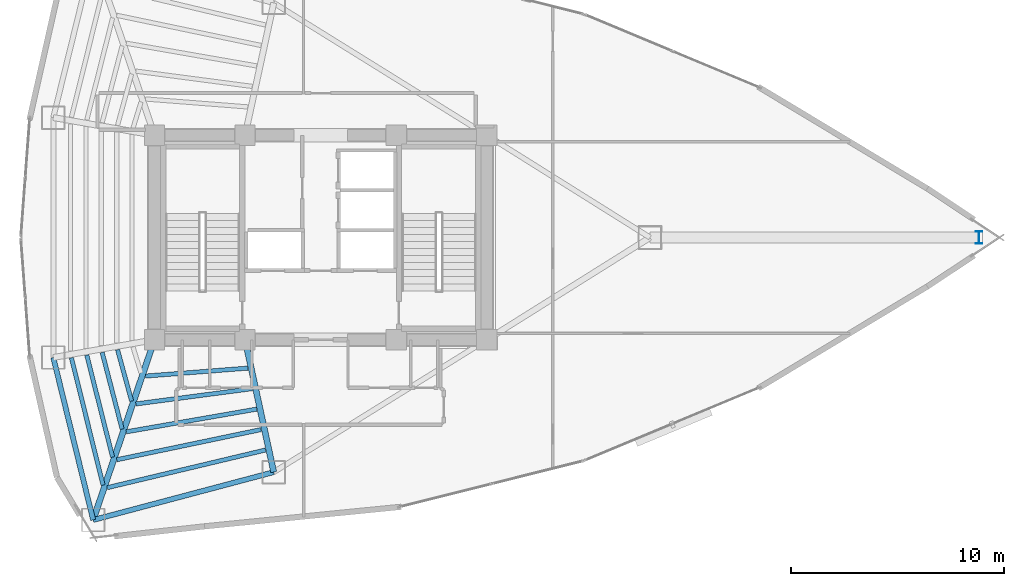
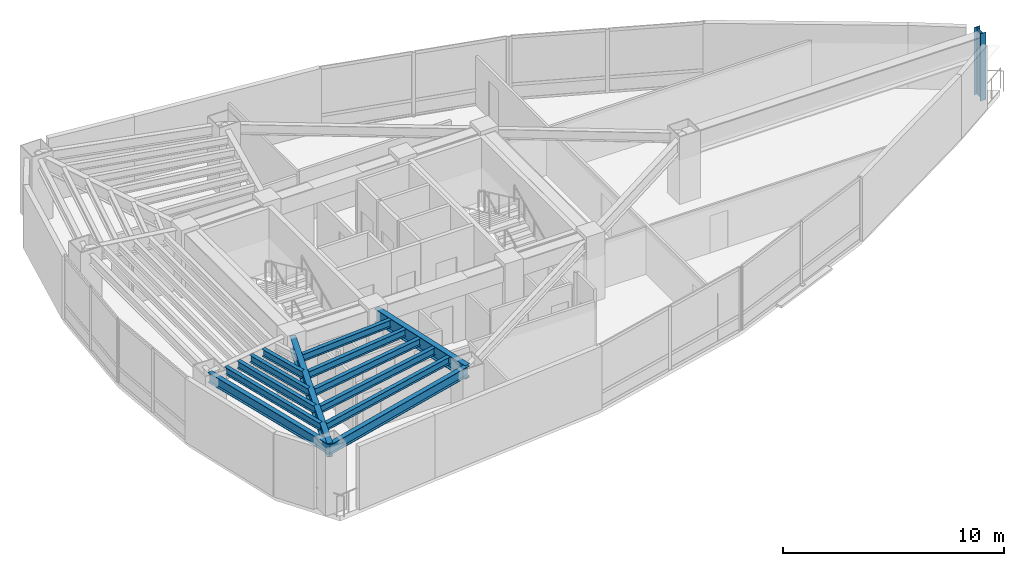
# One storey, part 2 of 17: 13 beams, 1 column.
"""IFC4 building model written with IfcOpenShell, lengths in metres."""

from ifc_helpers import new_model, si_unit, direction, frame, origin, origin_2d, place, context, subcontext, project, spatial, i_section, extrude, material, material_profile, profile_set, type_object, element, save


model = new_model("IFC4")

# Units and contexts
model_context = context("Model", 3, precision=1e-05, world=origin(), true_north=direction((0.0, 1.0)))
body_context = subcontext(model_context, "Body", "Model", "MODEL_VIEW")
ifc_project = project(units=[si_unit("LENGTHUNIT", "METRE"), si_unit("AREAUNIT", "SQUARE_METRE"), si_unit("VOLUMEUNIT", "CUBIC_METRE"), si_unit("PLANEANGLEUNIT", "RADIAN"), si_unit("MASSUNIT", "GRAM", prefix="KILO")], contexts=[model_context])

# Site, building, storey
site_placement = place(None, origin())
site = spatial("IfcSite", under=ifc_project, at=site_placement, CompositionType="ELEMENT")
building_placement = place(site_placement, origin())
building = spatial("IfcBuilding", under=site, at=building_placement, Name="Menara Vayukalpa", CompositionType="ELEMENT")
storey_placement = place(building_placement, frame((0.0, 0.0, 154.320068359375)))
storey = spatial("IfcBuildingStorey", under=building, at=storey_placement, Name="L38", CompositionType="ELEMENT", Elevation=154.320068359375)

# Column
ifc_material_1 = material(Name="Steel S460", Category="steel")
ifc_material_profile_1 = material_profile(ifc_material_1, i_section(OverallWidth=0.300048828125, OverallDepth=0.587890625, WebThickness=0.011962890625, FlangeThickness=0.02001953125, at=origin_2d()), Name="H 588x300x12x20")
ifc_profile_set_1 = profile_set([ifc_material_profile_1], Name="Steel S460")
column_type = type_object("IfcColumnType", Name="COL-SC1", PredefinedType="COLUMN", material=ifc_profile_set_1)
column_placement = place(storey_placement, frame((56.501953125, 22.0, 0.0), z_axis=(0.0, 0.0, 1.0), x_axis=(1.0, 0.0, 0.0)))
element("IfcColumn", 1, at=column_placement, inside=storey, type_object=column_type, Name="L38 SB3 Sky Bar Vierendeel Column SB01", PredefinedType="COLUMN", context=body_context, shape_type="SweptSolid", body=[
    extrude(i_section(OverallWidth=0.300048828125, OverallDepth=0.587890625, WebThickness=0.011962890625, FlangeThickness=0.02001953125, at=origin_2d()), origin(), (0.0, 0.0, 1.0), 3.719970703125),
])

# Beams
ifc_material_2 = material(Name="Steel S355", Category="steel")
ifc_material_profile_2 = material_profile(ifc_material_2, i_section(OverallWidth=0.280029296875, OverallDepth=0.75, WebThickness=0.013916015625, FlangeThickness=0.02490234375, at=origin_2d()), Name="WF 750x280x14x25")
ifc_profile_set_2 = profile_set([ifc_material_profile_2], Name="Steel S355")
beam_type_1 = type_object("IfcBeamType", Name="BM-PG4", PredefinedType="BEAM", material=ifc_profile_set_2)
beam_1_placement = place(storey_placement, frame((17.719482421875, 16.96337890625, 3.125), z_axis=(-0.322207533072, -0.946669058136, 0.0), x_axis=(0.946669058136, -0.322207533072, 0.0)))
element("IfcBeam", 2, at=beam_1_placement, inside=storey, type_object=beam_type_1, Name="L38 Primary Radial Girder RG07", PredefinedType="BEAM", context=body_context, shape_type="SweptSolid", body=[
    extrude(i_section(OverallWidth=0.280029296875, OverallDepth=0.75, WebThickness=0.013916015625, FlangeThickness=0.02490234375, at=origin_2d()), origin(), (0.0, 0.0, 1.0), 8.687255859375),
])
beam_2_placement = place(storey_placement, frame((22.10302734375, 16.955810546875, 3.125), z_axis=(0.211898459532, -0.9772916877, 0.0), x_axis=(0.9772916877, 0.211898459532, 0.0)))
element("IfcBeam", 3, at=beam_2_placement, inside=storey, type_object=beam_type_1, Name="L38 Primary Radial Girder RG08", PredefinedType="BEAM", context=body_context, shape_type="SweptSolid", body=[
    extrude(i_section(OverallWidth=0.280029296875, OverallDepth=0.75, WebThickness=0.013916015625, FlangeThickness=0.02490234375, at=origin_2d()), origin(), (0.0, 0.0, 1.0), 6.1064453125),
])
ifc_material_3 = material(Name="Steel S355", Category="steel")
ifc_material_profile_3 = material_profile(ifc_material_3, i_section(OverallWidth=0.199951171875, OverallDepth=0.39990234375, WebThickness=0.008056640625, FlangeThickness=0.012939453125, at=origin_2d()), Name="WF 400x200x8x13")
ifc_profile_set_3 = profile_set([ifc_material_profile_3], Name="Steel S355")
beam_type_2 = type_object("IfcBeamType", Name="BM-SJ2", PredefinedType="JOIST", material=ifc_profile_set_3)
beam_3_placement = place(storey_placement, frame((16.064453125, 16.734375, 3.300048828125), z_axis=(0.264264990211, -0.96445011014, 0.0), x_axis=(0.96445011014, 0.264264990211, 0.0)))
element("IfcBeam", 4, at=beam_3_placement, inside=storey, type_object=beam_type_2, Name="L38 Secondary Floor Joist SJ06-2", PredefinedType="JOIST", context=body_context, shape_type="SweptSolid", body=[
    extrude(i_section(OverallWidth=0.199951171875, OverallDepth=0.39990234375, WebThickness=0.008056640625, FlangeThickness=0.012939453125, at=origin_2d()), origin(), (0.0, 0.0, 1.0), 2.501708984375),
])
beam_4_placement = place(storey_placement, frame((15.341796875, 16.607666015625, 3.300048828125), z_axis=(0.25203199701, -0.967718901584, 0.0), x_axis=(0.967718901584, 0.25203199701, 0.0)))
element("IfcBeam", 5, at=beam_4_placement, inside=storey, type_object=beam_type_2, Name="L38 Secondary Floor Joist SJ06-3", PredefinedType="JOIST", context=body_context, shape_type="SweptSolid", body=[
    extrude(i_section(OverallWidth=0.199951171875, OverallDepth=0.39990234375, WebThickness=0.008056640625, FlangeThickness=0.012939453125, at=origin_2d()), origin(), (0.0, 0.0, 1.0), 3.7216796875),
])
beam_5_placement = place(storey_placement, frame((14.619873046875, 16.481201171875, 3.300048828125), z_axis=(0.245487100754, -0.969399857315, 0.0), x_axis=(0.969399857315, 0.245487100754, 0.0)))
element("IfcBeam", 6, at=beam_5_placement, inside=storey, type_object=beam_type_2, Name="L38 Secondary Floor Joist SJ06-4", PredefinedType="JOIST", context=body_context, shape_type="SweptSolid", body=[
    extrude(i_section(OverallWidth=0.199951171875, OverallDepth=0.39990234375, WebThickness=0.008056640625, FlangeThickness=0.012939453125, at=origin_2d()), origin(), (0.0, 0.0, 1.0), 4.941650390625),
])
beam_6_placement = place(storey_placement, frame((13.8984375, 16.35498046875, 3.300048828125), z_axis=(0.241360851184, -0.970435438098, 0.0), x_axis=(0.970435438098, 0.241360851184, 0.0)))
element("IfcBeam", 7, at=beam_6_placement, inside=storey, type_object=beam_type_2, Name="L38 Secondary Floor Joist SJ06-5", PredefinedType="JOIST", context=body_context, shape_type="SweptSolid", body=[
    extrude(i_section(OverallWidth=0.199951171875, OverallDepth=0.39990234375, WebThickness=0.008056640625, FlangeThickness=0.012939453125, at=origin_2d()), origin(), (0.0, 0.0, 1.0), 6.162109375),
])
beam_7_placement = place(storey_placement, frame((17.375244140625, 15.495361328125, 3.300048828125), z_axis=(0.996983386276, 0.077615252944, 0.0), x_axis=(-0.077615252944, 0.996983386276, 0.0)))
element("IfcBeam", 8, at=beam_7_placement, inside=storey, type_object=beam_type_2, Name="L38 Secondary Floor Joist SJ07-1", PredefinedType="JOIST", context=body_context, shape_type="SweptSolid", body=[
    extrude(i_section(OverallWidth=0.199951171875, OverallDepth=0.39990234375, WebThickness=0.008056640625, FlangeThickness=0.012939453125, at=origin_2d()), origin(), (0.0, 0.0, 1.0), 4.81591796875),
])
beam_8_placement = place(storey_placement, frame((16.926513671875, 14.18798828125, 3.300048828125), z_axis=(0.991462596105, 0.130391412773, 0.0), x_axis=(-0.130391412773, 0.991462596105, 0.0)))
element("IfcBeam", 9, at=beam_8_placement, inside=storey, type_object=beam_type_2, Name="L38 Secondary Floor Joist SJ07-2", PredefinedType="JOIST", context=body_context, shape_type="SweptSolid", body=[
    extrude(i_section(OverallWidth=0.199951171875, OverallDepth=0.39990234375, WebThickness=0.008056640625, FlangeThickness=0.012939453125, at=origin_2d()), origin(), (0.0, 0.0, 1.0), 5.504638671875),
])
beam_9_placement = place(storey_placement, frame((16.4775390625, 12.87890625, 3.300048828125), z_axis=(0.985157431798, 0.171653239334, 0.0), x_axis=(-0.171653239334, 0.985157431798, 0.0)))
element("IfcBeam", 10, at=beam_9_placement, inside=storey, type_object=beam_type_2, Name="L38 Secondary Floor Joist SJ07-3", PredefinedType="JOIST", context=body_context, shape_type="SweptSolid", body=[
    extrude(i_section(OverallWidth=0.199951171875, OverallDepth=0.39990234375, WebThickness=0.008056640625, FlangeThickness=0.012939453125, at=origin_2d()), origin(), (0.0, 0.0, 1.0), 6.206787109375),
])
beam_10_placement = place(storey_placement, frame((16.02880859375, 11.568359375, 3.300048828125), z_axis=(0.97882747282, 0.204687025611, 0.0), x_axis=(-0.204687025611, 0.97882747282, 0.0)))
element("IfcBeam", 11, at=beam_10_placement, inside=storey, type_object=beam_type_2, Name="L38 Secondary Floor Joist SJ07-4", PredefinedType="JOIST", context=body_context, shape_type="SweptSolid", body=[
    extrude(i_section(OverallWidth=0.199951171875, OverallDepth=0.39990234375, WebThickness=0.008056640625, FlangeThickness=0.012939453125, at=origin_2d()), origin(), (0.0, 0.0, 1.0), 6.91796875),
])
beam_11_placement = place(storey_placement, frame((15.580078125, 10.2568359375, 3.300048828125), z_axis=(0.972815476519, 0.231581624151, 0.0), x_axis=(-0.231581624151, 0.972815476519, 0.0)))
element("IfcBeam", 12, at=beam_11_placement, inside=storey, type_object=beam_type_2, Name="L38 Secondary Floor Joist SJ07-5", PredefinedType="JOIST", context=body_context, shape_type="SweptSolid", body=[
    extrude(i_section(OverallWidth=0.199951171875, OverallDepth=0.39990234375, WebThickness=0.008056640625, FlangeThickness=0.012939453125, at=origin_2d()), origin(), (0.0, 0.0, 1.0), 7.6357421875),
])
ifc_material_4 = material(Name="Steel S355", Category="steel")
ifc_material_profile_4 = material_profile(ifc_material_4, i_section(OverallWidth=0.239990234375, OverallDepth=0.550048828125, WebThickness=0.010986328125, FlangeThickness=0.01904296875, at=origin_2d()), Name="WF 550x240x11x19")
ifc_profile_set_4 = profile_set([ifc_material_profile_4], Name="Steel S355")
beam_type_3 = type_object("IfcBeamType", Name="BM-SP2", PredefinedType="SPANDREL", material=ifc_profile_set_4)
beam_12_placement = place(storey_placement, frame((13.049072265625, 16.3681640625, 3.224853515625), z_axis=(0.238240335346, -0.971206230733, 0.0), x_axis=(0.971206230733, 0.238240335346, 0.0)))
element("IfcBeam", 13, at=beam_12_placement, inside=storey, type_object=beam_type_3, Name="L38 Perimeter Spandrel Beam SP06", PredefinedType="SPANDREL", context=body_context, shape_type="SweptSolid", body=[
    extrude(i_section(OverallWidth=0.239990234375, OverallDepth=0.550048828125, WebThickness=0.010986328125, FlangeThickness=0.01904296875, at=origin_2d()), origin(), (0.0, 0.0, 1.0), 7.854736328125),
])
beam_13_placement = place(storey_placement, frame((14.92041015625, 8.739501953125, 3.224853515625), z_axis=(0.96657141455, 0.256397544009, 0.0), x_axis=(-0.256397544009, 0.96657141455, 0.0)))
element("IfcBeam", 14, at=beam_13_placement, inside=storey, type_object=beam_type_3, Name="L38 Perimeter Spandrel Beam SP07", PredefinedType="SPANDREL", context=body_context, shape_type="SweptSolid", body=[
    extrude(i_section(OverallWidth=0.239990234375, OverallDepth=0.550048828125, WebThickness=0.010986328125, FlangeThickness=0.01904296875, at=origin_2d()), origin(), (0.0, 0.0, 1.0), 8.769775390625),
])

save(model, "model.ifc")
